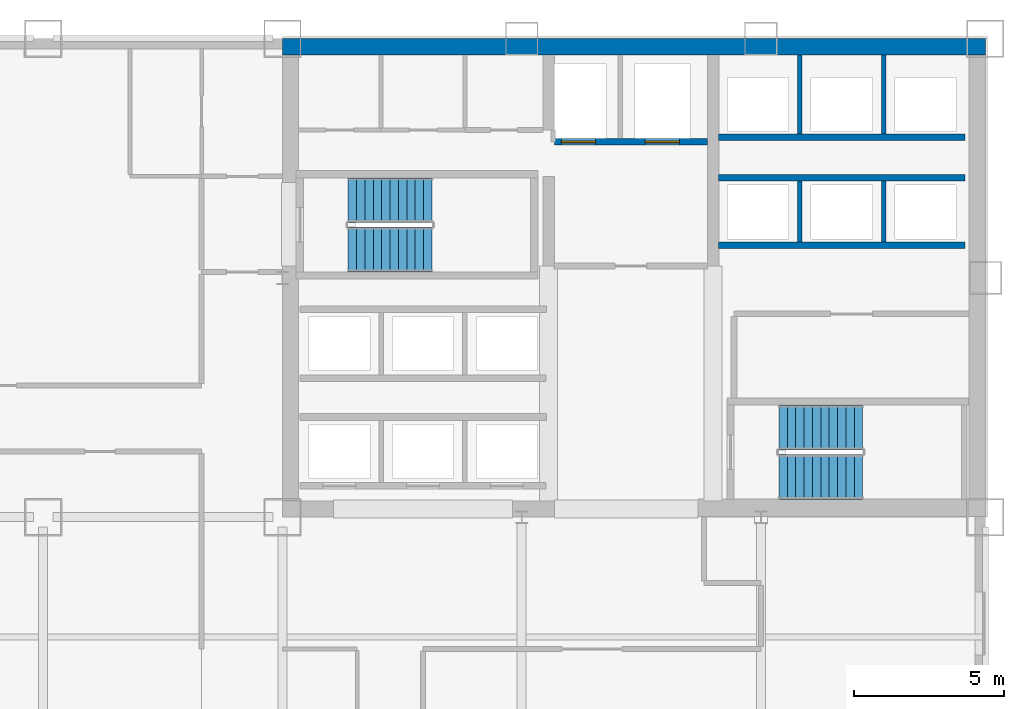
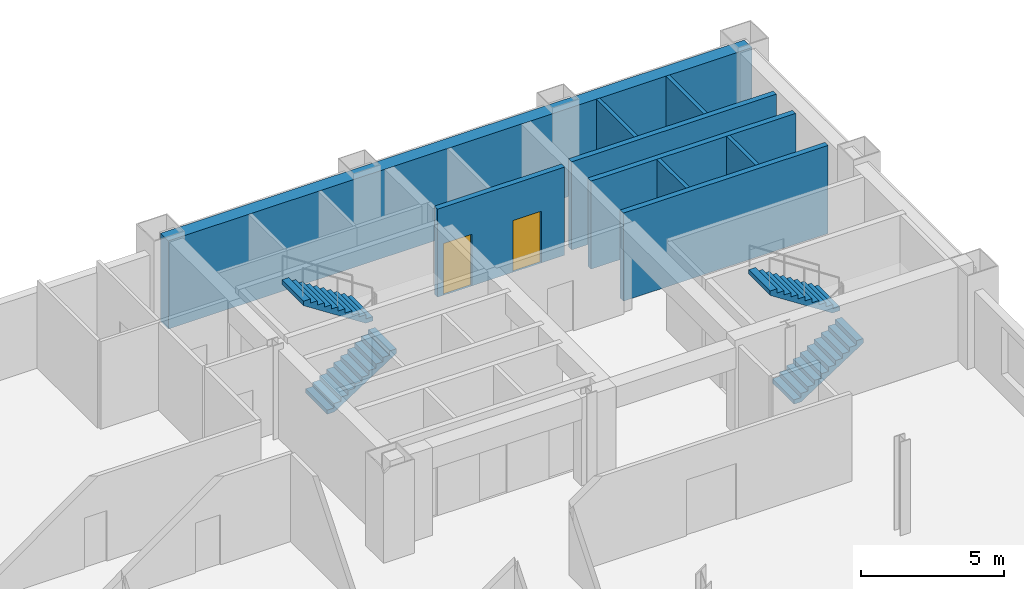
# One storey, part 7 of 9: 9 walls, 4 stair flights, 2 doors, 2 openings, 2 elements without a shape of their own.
"""IFC4 building model written with IfcOpenShell, lengths in metres."""

from ifc_helpers import new_model, si_unit, direction, frame, frame_2d, origin, place, context, subcontext, project, spatial, polyline, rectangle, outline, extrude, material, layer, layer_set, type_object, element, fill, aggregate, save


model = new_model("IFC4")

# Units and contexts
model_context = context("Model", 3, precision=1e-05, world=origin(), true_north=direction((0.0, 1.0)))
body_context = subcontext(model_context, "Body", "Model", "MODEL_VIEW")
ifc_project = project(units=[si_unit("LENGTHUNIT", "METRE"), si_unit("AREAUNIT", "SQUARE_METRE"), si_unit("VOLUMEUNIT", "CUBIC_METRE"), si_unit("PLANEANGLEUNIT", "RADIAN"), si_unit("MASSUNIT", "GRAM", prefix="KILO")], contexts=[model_context])

# Site, building, storey
site_placement = place(None, origin())
site = spatial("IfcSite", under=ifc_project, at=site_placement, CompositionType="ELEMENT")
building_placement = place(site_placement, origin())
building = spatial("IfcBuilding", under=site, at=building_placement, Name="Qianrong Seaharbour Tower", CompositionType="ELEMENT")
storey_placement = place(building_placement, frame((0.0, 0.0, 56.199951171875)))
storey = spatial("IfcBuildingStorey", under=building, at=storey_placement, Name="L13", CompositionType="ELEMENT", Elevation=56.199951171875)

# Walls
ifc_material_1 = material(Name="Concrete C70/85", Category="concrete")
ifc_layer_1 = layer(ifc_material_1, 0.5400390625)
ifc_layer_set_1 = layer_set([ifc_layer_1], Name="Concrete C70/85")
wall_type_1 = type_object("IfcWallType", Name="WALL-CORE-540", PredefinedType="SHEAR", material=ifc_layer_set_1)
wall_1_placement = place(storey_placement, frame((40.5, 51.72998046875, 0.0), z_axis=(0.0, 0.0, 1.0), x_axis=(1.0, 0.0, 0.0)))
element("IfcWall", 1, at=wall_1_placement, inside=storey, type_object=wall_type_1, Name="L13 North Core Shear Wall", PredefinedType="SHEAR", context=body_context, shape_type="SweptSolid", body=[
    extrude(rectangle(XDim=23.5, YDim=0.5400390625, at=frame_2d((11.75, 0.0))), origin(), (0.0, 0.0, 1.0), 3.75),
])
ifc_material_2 = material(Name="Fire-rated gypsum board on steel studs", Category="steel")
ifc_layer_2 = layer(ifc_material_2, 0.14990234375)
ifc_layer_set_2 = layer_set([ifc_layer_2], Name="Fire-rated gypsum board on steel studs")
wall_type_2 = type_object("IfcWallType", Name="WALL-SHAFT-DIV-150", PredefinedType="PARTITIONING", material=ifc_layer_set_2)
for number, where, z_axis, x_axis, name in (
    (2, (57.800048828125, 45.2099609375, 0.0), (0.0, 0.0, 1.0), (0.0, 1.0, 0.0), "L13 P3 Lift Hoistway Divider 2"),
    (3, (60.60009765625, 45.2099609375, 0.0), (0.0, 0.0, 1.0), (0.0, 1.0, 0.0), "L13 P3 Lift Hoistway Divider 3"),
):
    element("IfcWall", number, at=place(storey_placement, frame(where, z_axis=z_axis, x_axis=x_axis)), inside=storey, type_object=wall_type_2, Name=name, PredefinedType="PARTITIONING", context=body_context, shape_type="SweptSolid", body=[
        extrude(rectangle(XDim=2.030029296875, YDim=0.14990234375, at=frame_2d((1.01513671875, 0.0))), origin(), (0.0, 0.0, 1.0), 3.75),
    ])
for number, where, z_axis, x_axis, name in (
    (4, (57.800048828125, 48.81005859375, 0.0), (0.0, 0.0, 1.0), (0.0, 1.0, 0.0), "L13 P4 Lift Hoistway Divider 2"),
    (5, (60.60009765625, 48.81005859375, 0.0), (0.0, 0.0, 1.0), (0.0, 1.0, 0.0), "L13 P4 Lift Hoistway Divider 3"),
):
    element("IfcWall", number, at=place(storey_placement, frame(where, z_axis=z_axis, x_axis=x_axis)), inside=storey, type_object=wall_type_2, Name=name, PredefinedType="PARTITIONING", context=body_context, shape_type="SweptSolid", body=[
        extrude(rectangle(XDim=2.64990234375, YDim=0.14990234375, at=frame_2d((1.324951171875, 0.0))), origin(), (0.0, 0.0, 1.0), 3.75),
    ])

# Wall, openings, doors
ifc_layer_3 = layer(ifc_material_2, 0.219970703125)
ifc_layer_set_3 = layer_set([ifc_layer_3], Name="Fire-rated gypsum board on steel studs")
wall_type_3 = type_object("IfcWallType", Name="WALL-SHAFT-GYP220", PredefinedType="PARTITIONING", material=ifc_layer_set_3)
wall_2_placement = place(storey_placement, frame((54.7099609375, 48.550048828125, 0.0), z_axis=(0.0, 0.0, 1.0), x_axis=(-1.0, 0.0, 0.0)))
wall_2 = element("IfcWall", 6, at=wall_2_placement, inside=storey, type_object=wall_type_3, Name="L13 Firefighting Lift Shaft Front Wall", PredefinedType="PARTITIONING", context=body_context, shape_type="SweptSolid", body=[
    extrude(rectangle(XDim=5.119873046875, YDim=0.219970703125, at=frame_2d((2.56005859375, 0.0))), origin(), (0.0, 0.0, 1.0), 3.75),
])
opening_1_placement = place(wall_2_placement, frame((3.735107421875, 0.0, 0.0)))
opening_1 = element("IfcOpeningElement", 7, at=opening_1_placement, cuts=wall_2, Name="Opening LD-01", PredefinedType="OPENING", context=body_context, shape_type="SweptSolid", body=[
    extrude(rectangle(XDim=1.14990234375, YDim=2.199951171875, at=frame_2d((0.574951171875, 1.10009765625))), frame((0.0, 0.1201171875, 0.0), z_axis=(0.0, -1.0, 0.0), x_axis=(1.0, 0.0, 0.0)), (0.0, 0.0, 1.0), 0.239990234375),
])
opening_2_placement = place(wall_2_placement, frame((0.93505859375, 0.0, 0.0)))
opening_2 = element("IfcOpeningElement", 8, at=opening_2_placement, cuts=wall_2, Name="Opening LD-01", PredefinedType="OPENING", context=body_context, shape_type="SweptSolid", body=[
    extrude(rectangle(XDim=1.14990234375, YDim=2.199951171875, at=frame_2d((0.574951171875, 1.10009765625))), frame((0.0, 0.1201171875, 0.0), z_axis=(0.0, -1.0, 0.0), x_axis=(1.0, 0.0, 0.0)), (0.0, 0.0, 1.0), 0.239990234375),
])
ifc_material_3 = material(Name="Stainless steel SUS316L bi-parting lift landing door", Category="steel")
door_type = type_object("IfcDoorType", Name="DOOR-LIFT-FF-1150x2200", OperationType="DOUBLE_DOOR_SLIDING", PredefinedType="DOOR", material=ifc_material_3)
door_1_placement = place(opening_1_placement, origin())
door_1 = element("IfcDoor", 9, at=door_1_placement, inside=storey, type_object=door_type, Name="L13 FL-1 Firefighting Lift Landing Door", OperationType="DOUBLE_DOOR_SLIDING", OverallHeight=2.199951171875, OverallWidth=1.14990234375, PredefinedType="DOOR", context=body_context, shape_type="SweptSolid", body=[
    extrude(rectangle(XDim=1.14990234375, YDim=2.199951171875, at=frame_2d((0.574951171875, 1.10009765625))), frame((0.0, 0.02490234375, 0.0), z_axis=(0.0, -1.0, 0.0), x_axis=(1.0, 0.0, 0.0)), (0.0, 0.0, 1.0), 0.050048828125),
])
fill(opening_1, door_1)
door_2_placement = place(opening_2_placement, origin())
door_2 = element("IfcDoor", 10, at=door_2_placement, inside=storey, type_object=door_type, Name="L13 FL-2 Firefighting Lift Landing Door", OperationType="DOUBLE_DOOR_SLIDING", OverallHeight=2.199951171875, OverallWidth=1.14990234375, PredefinedType="DOOR", context=body_context, shape_type="SweptSolid", body=[
    extrude(rectangle(XDim=1.14990234375, YDim=2.199951171875, at=frame_2d((0.574951171875, 1.10009765625))), frame((0.0, 0.02490234375, 0.0), z_axis=(0.0, -1.0, 0.0), x_axis=(1.0, 0.0, 0.0)), (0.0, 0.0, 1.0), 0.050048828125),
])
fill(opening_2, door_2)

# Walls
for number, where, z_axis, x_axis, name in (
    (11, (63.320068359375, 45.10009765625, 0.0), (0.0, 0.0, 1.0), (-1.0, 0.0, 0.0), "L13 P3 Lift Hoistway Front Wall"),
    (12, (55.080078125, 47.35009765625, 0.0), (0.0, 0.0, 1.0), (1.0, 0.0, 0.0), "L13 P3 Lift Hoistway Back Wall"),
    (13, (63.320068359375, 48.699951171875, 0.0), (0.0, 0.0, 1.0), (-1.0, 0.0, 0.0), "L13 P4 Lift Hoistway Front Wall"),
):
    element("IfcWall", number, at=place(storey_placement, frame(where, z_axis=z_axis, x_axis=x_axis)), inside=storey, type_object=wall_type_3, Name=name, PredefinedType="PARTITIONING", context=body_context, shape_type="SweptSolid", body=[
        extrude(rectangle(XDim=8.239990234375, YDim=0.219970703125, at=frame_2d((4.1201171875, 0.0))), origin(), (0.0, 0.0, 1.0), 3.75),
    ])

# Stair, stair flights
ifc_material_4 = material(Name="Concrete C50/60", Category="concrete")
stair_type = type_object("IfcStairType", Name="STAIR-DOGLEG-1500-R22", PredefinedType="HALF_TURN_STAIR", material=ifc_material_4)
stair_1_placement = place(storey_placement, origin())
stair_1 = element("IfcStair", 14, at=stair_1_placement, inside=storey, type_object=stair_type, Name="L13 Protected Escape Stair ST-1", PredefinedType="HALF_TURN_STAIR")
stair_flight_type = type_object("IfcStairFlightType", Name="FLIGHT-STR-1500-R22", PredefinedType="STRAIGHT", material=ifc_material_4)
stair_flight_1_placement = place(storey_placement, frame((42.699951171875, 44.949951171875, 0.0), z_axis=(0.0, 0.0, 1.0), x_axis=(1.0, 0.0, 0.0)))
stair_flight_1 = element("IfcStairFlight", 15, at=stair_flight_1_placement, type_object=stair_flight_type, Name="ST-1 flight 1", NumberOfRisers=11, NumberOfTreads=10, PredefinedType="STRAIGHT", RiserHeight=0.181818182, TreadLength=0.28, context=body_context, shape_type="SweptSolid", body=[
    extrude(outline(polyline([(0.0, 0.0), (0.0, 0.181884765625), (0.280029296875, 0.181884765625), (0.280029296875, 0.363525390625), (0.56005859375, 0.363525390625), (0.56005859375, 0.54541015625), (0.840087890625, 0.54541015625), (0.840087890625, 0.727294921875), (1.1201171875, 0.727294921875), (1.1201171875, 0.9091796875), (1.39990234375, 0.9091796875), (1.39990234375, 1.0908203125), (1.679931640625, 1.0908203125), (1.679931640625, 1.272705078125), (1.9599609375, 1.272705078125), (1.9599609375, 1.45458984375), (2.239990234375, 1.45458984375), (2.239990234375, 1.636474609375), (2.52001953125, 1.636474609375), (2.52001953125, 1.818115234375), (2.800048828125, 1.818115234375), (2.800048828125, 2.0), (2.800048828125, 1.62744140625), (0.293701171875, 0.0), (0.0, 0.0)])), frame((0.0, 0.75, 0.0), z_axis=(0.0, -1.0, 0.0), x_axis=(1.0, 0.0, 0.0)), (0.0, 0.0, 1.0), 1.5),
])
stair_flight_2_placement = place(storey_placement, frame((45.5, 46.60009765625, 2.0), z_axis=(0.0, 0.0, 1.0), x_axis=(-1.0, 0.0, 0.0)))
stair_flight_2 = element("IfcStairFlight", 16, at=stair_flight_2_placement, type_object=stair_flight_type, Name="ST-1 flight 2", NumberOfRisers=11, NumberOfTreads=10, PredefinedType="STRAIGHT", RiserHeight=0.181818182, TreadLength=0.28, context=body_context, shape_type="SweptSolid", body=[
    extrude(outline(polyline([(0.0, 0.0), (0.0, 0.181884765625), (0.280029296875, 0.181884765625), (0.280029296875, 0.363525390625), (0.56005859375, 0.363525390625), (0.56005859375, 0.54541015625), (0.840087890625, 0.54541015625), (0.840087890625, 0.727294921875), (1.1201171875, 0.727294921875), (1.1201171875, 0.9091796875), (1.39990234375, 0.9091796875), (1.39990234375, 1.0908203125), (1.679931640625, 1.0908203125), (1.679931640625, 1.272705078125), (1.9599609375, 1.272705078125), (1.9599609375, 1.45458984375), (2.239990234375, 1.45458984375), (2.239990234375, 1.636474609375), (2.52001953125, 1.636474609375), (2.52001953125, 1.818115234375), (2.800048828125, 1.818115234375), (2.800048828125, 2.0), (2.800048828125, 1.62744140625), (0.293701171875, 0.0), (0.0, 0.0)])), frame((0.0, 0.75, 0.0), z_axis=(0.0, -1.0, 0.0), x_axis=(1.0, 0.0, 0.0)), (0.0, 0.0, 1.0), 1.5),
])
aggregate(stair_1, [stair_flight_1, stair_flight_2])

stair_2_placement = place(storey_placement, origin())
stair_2 = element("IfcStair", 17, at=stair_2_placement, inside=storey, type_object=stair_type, Name="L13 Protected Escape Stair ST-2", PredefinedType="HALF_TURN_STAIR")
stair_flight_3_placement = place(storey_placement, frame((57.10009765625, 37.35009765625, 0.0), z_axis=(0.0, 0.0, 1.0), x_axis=(1.0, 0.0, 0.0)))
stair_flight_3 = element("IfcStairFlight", 18, at=stair_flight_3_placement, type_object=stair_flight_type, Name="ST-2 flight 1", NumberOfRisers=11, NumberOfTreads=10, PredefinedType="STRAIGHT", RiserHeight=0.181818182, TreadLength=0.28, context=body_context, shape_type="SweptSolid", body=[
    extrude(outline(polyline([(0.0, 0.0), (0.0, 0.181884765625), (0.280029296875, 0.181884765625), (0.280029296875, 0.363525390625), (0.56005859375, 0.363525390625), (0.56005859375, 0.54541015625), (0.840087890625, 0.54541015625), (0.840087890625, 0.727294921875), (1.1201171875, 0.727294921875), (1.1201171875, 0.9091796875), (1.39990234375, 0.9091796875), (1.39990234375, 1.0908203125), (1.679931640625, 1.0908203125), (1.679931640625, 1.272705078125), (1.9599609375, 1.272705078125), (1.9599609375, 1.45458984375), (2.239990234375, 1.45458984375), (2.239990234375, 1.636474609375), (2.52001953125, 1.636474609375), (2.52001953125, 1.818115234375), (2.800048828125, 1.818115234375), (2.800048828125, 2.0), (2.800048828125, 1.62744140625), (0.293701171875, 0.0), (0.0, 0.0)])), frame((0.0, 0.75, 0.0), z_axis=(0.0, -1.0, 0.0), x_axis=(1.0, 0.0, 0.0)), (0.0, 0.0, 1.0), 1.5),
])
stair_flight_4_placement = place(storey_placement, frame((59.89990234375, 39.0, 2.0), z_axis=(0.0, 0.0, 1.0), x_axis=(-1.0, 0.0, 0.0)))
stair_flight_4 = element("IfcStairFlight", 19, at=stair_flight_4_placement, type_object=stair_flight_type, Name="ST-2 flight 2", NumberOfRisers=11, NumberOfTreads=10, PredefinedType="STRAIGHT", RiserHeight=0.181818182, TreadLength=0.28, context=body_context, shape_type="SweptSolid", body=[
    extrude(outline(polyline([(0.0, 0.0), (0.0, 0.181884765625), (0.280029296875, 0.181884765625), (0.280029296875, 0.363525390625), (0.56005859375, 0.363525390625), (0.56005859375, 0.54541015625), (0.840087890625, 0.54541015625), (0.840087890625, 0.727294921875), (1.1201171875, 0.727294921875), (1.1201171875, 0.9091796875), (1.39990234375, 0.9091796875), (1.39990234375, 1.0908203125), (1.679931640625, 1.0908203125), (1.679931640625, 1.272705078125), (1.9599609375, 1.272705078125), (1.9599609375, 1.45458984375), (2.239990234375, 1.45458984375), (2.239990234375, 1.636474609375), (2.52001953125, 1.636474609375), (2.52001953125, 1.818115234375), (2.800048828125, 1.818115234375), (2.800048828125, 2.0), (2.800048828125, 1.62744140625), (0.293701171875, 0.0), (0.0, 0.0)])), frame((0.0, 0.75, 0.0), z_axis=(0.0, -1.0, 0.0), x_axis=(1.0, 0.0, 0.0)), (0.0, 0.0, 1.0), 1.5),
])
aggregate(stair_2, [stair_flight_3, stair_flight_4])

save(model, "model.ifc")
